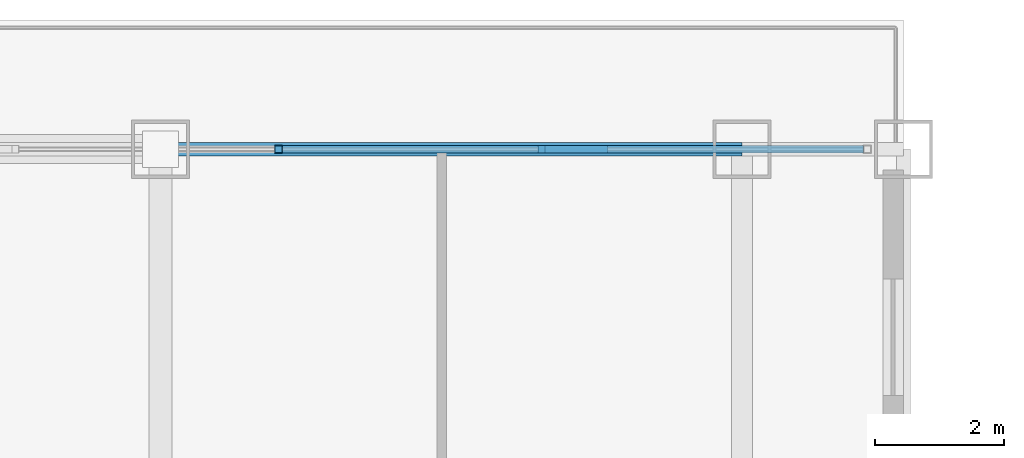
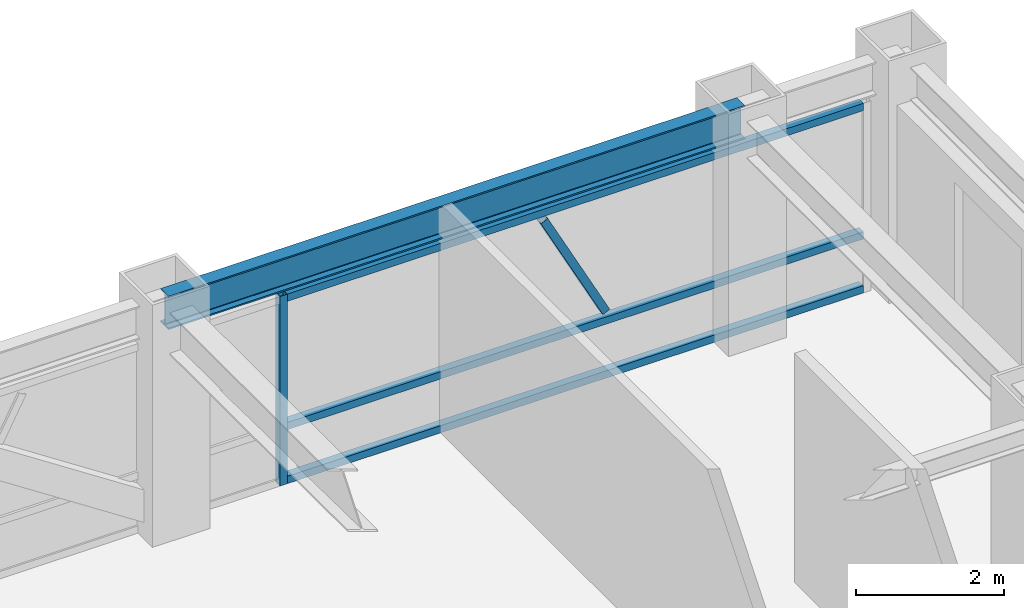
# One storey, part 22 of 32: 5 members, 1 beam, 1 element without a shape of its own.
"""IFC4 building model written with IfcOpenShell, lengths in metres."""

from ifc_helpers import new_model, si_unit, direction, frame, origin, origin_2d, place, context, subcontext, project, spatial, hollow_rectangle, i_section, extrude, source, transform, mapped, material, material_profile, profile_set, type_object, element, aggregate, save


model = new_model("IFC4")

# Units and contexts
model_context = context("Model", 3, precision=1e-05, world=origin(), true_north=direction((0.0, 1.0)))
body_context = subcontext(model_context, "Body", "Model", "MODEL_VIEW")
ifc_project = project(units=[si_unit("LENGTHUNIT", "METRE"), si_unit("AREAUNIT", "SQUARE_METRE"), si_unit("VOLUMEUNIT", "CUBIC_METRE"), si_unit("PLANEANGLEUNIT", "RADIAN"), si_unit("MASSUNIT", "GRAM", prefix="KILO")], contexts=[model_context])

# Site, building, storey
site_placement = place(None, origin())
site = spatial("IfcSite", under=ifc_project, at=site_placement, CompositionType="ELEMENT")
building_placement = place(site_placement, origin())
building = spatial("IfcBuilding", under=site, at=building_placement, Name="Khorayat Bourse Tower", CompositionType="ELEMENT")
storey_placement = place(building_placement, frame((0.0, 0.0, 273.5)))
storey = spatial("IfcBuildingStorey", under=building, at=storey_placement, Name="L64", CompositionType="ELEMENT", Elevation=273.5)

# Beam
ifc_material_1 = material(Name="Steel ASTM A992 Grade 50", Category="steel")
ifc_material_profile_1 = material_profile(ifc_material_1, i_section(OverallWidth=0.214111328125, OverallDepth=0.549072265625, WebThickness=0.0146484375, FlangeThickness=0.023681640625, FilletRadius=0.013916015625, at=origin_2d()), Name="W530X138")
ifc_profile_set_1 = profile_set([ifc_material_profile_1], Name="Steel ASTM A992 Grade 50")
beam_type = type_object("IfcBeamType", Name="BM-SPAN-530", PredefinedType="SPANDREL", material=ifc_profile_set_1)
shared_shape_1 = source(origin(), body_context, "Body", "SweptSolid", [
    extrude(i_section(OverallWidth=0.214111328125, OverallDepth=0.549072265625, WebThickness=0.0146484375, FlangeThickness=0.023681640625, FilletRadius=0.013916015625, at=origin_2d()), origin(), (0.0, 0.0, 1.0), 9.0),
])
beam_placement = place(storey_placement, frame((11.0, 28.0, 3.505615234375), z_axis=(1.0, 0.0, 0.0), x_axis=(0.0, 1.0, 0.0)))
element("IfcBeam", 1, at=beam_placement, inside=storey, type_object=beam_type, Name="L64 BM-SPAN-530 BM-L64-SPN-045", PredefinedType="SPANDREL", context=body_context, shape_type="MappedRepresentation", body=[
    mapped(shared_shape_1, transform((0.0, 0.0, 0.0), scale=1.0)),
])

# Curtain wall, members
ifc_material_2 = material(Name="Aluminium EN AW-6063 T6", Category="aluminium")
curtain_wall_type = type_object("IfcCurtainWallType", Name="CW-SYS-04", PredefinedType="NOTDEFINED", material=ifc_material_2)
curtain_wall_placement = place(storey_placement, origin())
curtain_wall = element("IfcCurtainWall", 2, at=curtain_wall_placement, inside=storey, type_object=curtain_wall_type, Name="L64 Curtain Wall CW-L64-N2", PredefinedType="NOTDEFINED")
ifc_material_profile_2 = material_profile(ifc_material_2, hollow_rectangle(XDim=0.1201171875, YDim=0.1201171875, WallThickness=0.0048828125, at=origin_2d()), Name="ALU 120x120x5")
ifc_profile_set_2 = profile_set([ifc_material_profile_2], Name="Aluminium EN AW-6063 T6")
member_type_1 = type_object("IfcMemberType", Name="CWM-VERT-120", PredefinedType="MULLION", material=ifc_profile_set_2)
shared_shape_2 = source(origin(), body_context, "Body", "SweptSolid", [
    extrude(hollow_rectangle(XDim=0.1201171875, YDim=0.1201171875, WallThickness=0.0048828125, at=origin_2d()), origin(), (0.0, 0.0, 1.0), 3.1298828125),
])
member_1_placement = place(storey_placement, frame((12.824951171875, 28.0, 0.0), z_axis=(0.0, 0.0, 1.0), x_axis=(0.0, 1.0, 0.0)))
member_1 = element("IfcMember", 3, at=member_1_placement, type_object=member_type_1, Name="CW-L64-N2 Vertical Mullion 2", PredefinedType="MULLION", context=body_context, shape_type="MappedRepresentation", body=[
    mapped(shared_shape_2, transform((0.0, 0.0, 0.0), scale=1.0)),
])
ifc_material_profile_3 = material_profile(ifc_material_2, hollow_rectangle(XDim=0.1201171875, YDim=0.1201171875, WallThickness=0.0048828125, at=origin_2d()), Name="ALU 120x120x5")
ifc_profile_set_3 = profile_set([ifc_material_profile_3], Name="Aluminium EN AW-6063 T6")
member_type_2 = type_object("IfcMemberType", Name="CWM-DIAG-120", PredefinedType="MULLION", material=ifc_profile_set_3)
shared_shape_3 = source(origin(), body_context, "Body", "SweptSolid", [
    extrude(hollow_rectangle(XDim=0.1201171875, YDim=0.1201171875, WallThickness=0.0048828125, at=origin_2d()), origin(), (0.0, 0.0, 1.0), 2.0791015625),
])
member_2_placement = place(storey_placement, frame((17.86669921875, 28.0, 1.090087890625), z_axis=(-0.465809344892, 0.0, 0.884885107916), x_axis=(0.0, -1.0, 0.0)))
member_2 = element("IfcMember", 4, at=member_2_placement, type_object=member_type_2, Name="CW-L64-N2 Faceted Diagonal Mullion 2", PredefinedType="MULLION", context=body_context, shape_type="MappedRepresentation", body=[
    mapped(shared_shape_3, transform((0.0, 0.0, 0.0), scale=1.0)),
])
ifc_material_profile_4 = material_profile(ifc_material_2, hollow_rectangle(XDim=0.1201171875, YDim=0.1201171875, WallThickness=0.0048828125, at=origin_2d()), Name="ALU 120x120x5")
ifc_profile_set_4 = profile_set([ifc_material_profile_4], Name="Aluminium EN AW-6063 T6")
member_type_3 = type_object("IfcMemberType", Name="CWT-HORZ-120", PredefinedType="USERDEFINED", material=ifc_profile_set_4)
shared_shape_4 = source(origin(), body_context, "Body", "SweptSolid", [
    extrude(hollow_rectangle(XDim=0.1201171875, YDim=0.1201171875, WallThickness=0.0048828125, at=origin_2d()), origin(), (0.0, 0.0, 1.0), 8.994873046875),
])
member_3_placement = place(storey_placement, frame((12.885009765625, 28.0, 0.06005859375), z_axis=(1.0, 0.0, 0.0), x_axis=(0.0, 1.0, 0.0)))
member_3 = element("IfcMember", 5, at=member_3_placement, type_object=member_type_3, Name="CW-L64-N2 Horizontal Transom 2-1", ObjectType="TRANSOM", PredefinedType="USERDEFINED", context=body_context, shape_type="MappedRepresentation", body=[
    mapped(shared_shape_4, transform((0.0, 0.0, 0.0), scale=1.0)),
])
member_4_placement = place(storey_placement, frame((12.885009765625, 28.0, 0.949951171875), z_axis=(1.0, 0.0, 0.0), x_axis=(0.0, 1.0, 0.0)))
member_4 = element("IfcMember", 6, at=member_4_placement, type_object=member_type_3, Name="CW-L64-N2 Horizontal Transom 2-2", ObjectType="TRANSOM", PredefinedType="USERDEFINED", context=body_context, shape_type="MappedRepresentation", body=[
    mapped(shared_shape_4, transform((0.0, 0.0, 0.0), scale=1.0)),
])
member_5_placement = place(storey_placement, frame((12.885009765625, 28.0, 3.070068359375), z_axis=(1.0, 0.0, 0.0), x_axis=(0.0, 1.0, 0.0)))
member_5 = element("IfcMember", 7, at=member_5_placement, type_object=member_type_3, Name="CW-L64-N2 Horizontal Transom 2-3", ObjectType="TRANSOM", PredefinedType="USERDEFINED", context=body_context, shape_type="MappedRepresentation", body=[
    mapped(shared_shape_4, transform((0.0, 0.0, 0.0), scale=1.0)),
])
aggregate(curtain_wall, [member_1, member_3, member_4, member_5, member_2])

save(model, "model.ifc")
